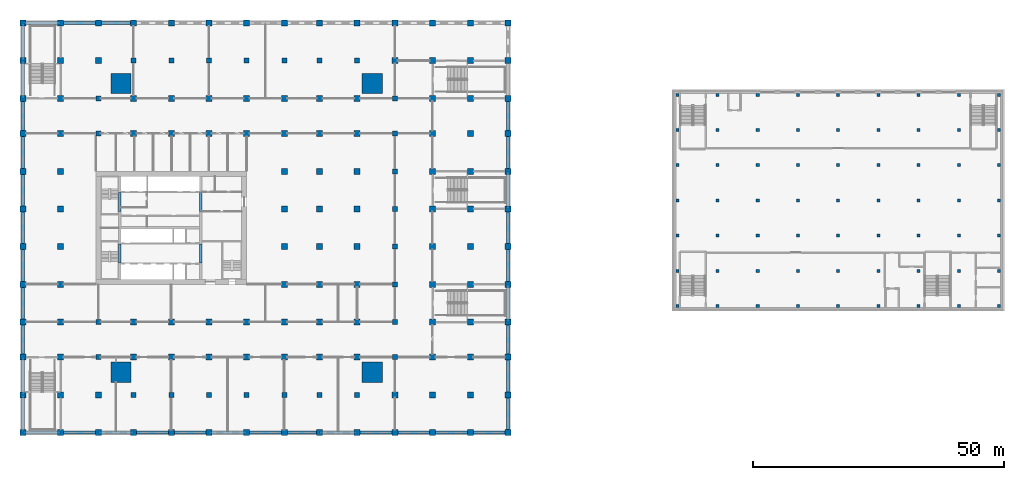
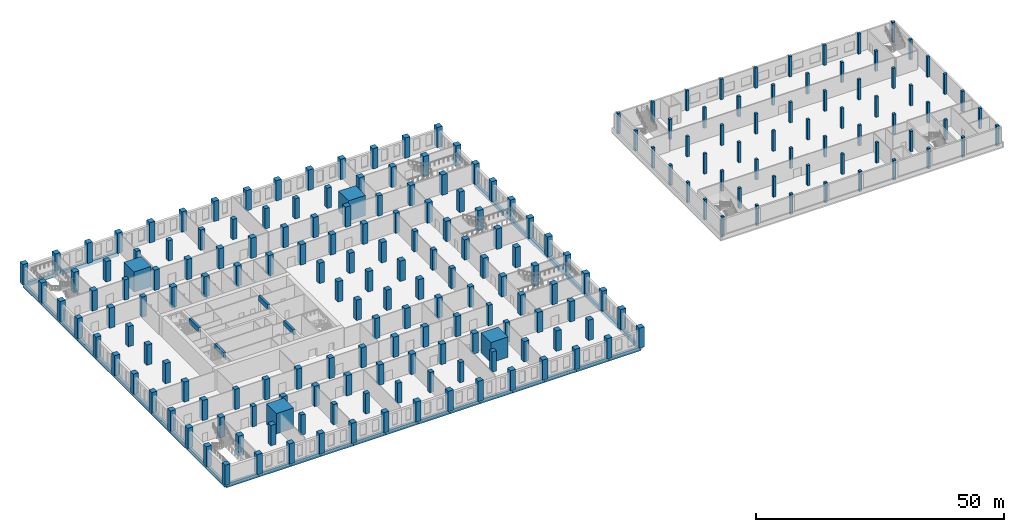
# One storey, part 1 of 32: 215 columns, 40 beams.
"""IFC4 building model written with IfcOpenShell, lengths in metres."""

from ifc_helpers import new_model, si_unit, direction, frame, origin, origin_2d, place, context, subcontext, project, spatial, rectangle, extrude, material, material_profile, profile_set, type_object, element, save


model = new_model("IFC4")

# Units and contexts
model_context = context("Model", 3, precision=1e-05, world=origin(), true_north=direction((0.0, 1.0)))
body_context = subcontext(model_context, "Body", "Model", "MODEL_VIEW")
ifc_project = project(units=[si_unit("LENGTHUNIT", "METRE"), si_unit("AREAUNIT", "SQUARE_METRE"), si_unit("VOLUMEUNIT", "CUBIC_METRE"), si_unit("PLANEANGLEUNIT", "RADIAN"), si_unit("MASSUNIT", "GRAM", prefix="KILO")], contexts=[model_context])

# Site, building, storey
site_placement = place(None, origin())
site = spatial("IfcSite", under=ifc_project, at=site_placement, CompositionType="ELEMENT")
building_placement = place(site_placement, origin())
building = spatial("IfcBuilding", under=site, at=building_placement, Name="Tamorin Gate", CompositionType="ELEMENT")
storey_placement = place(building_placement, frame((0.0, 0.0, 13.5)))
storey = spatial("IfcBuildingStorey", under=building, at=storey_placement, Name="L02", CompositionType="ELEMENT", Elevation=13.5)

# Columns
ifc_material_1 = material(Name="Concrete C80/95", Category="concrete")
ifc_material_profile_1 = material_profile(ifc_material_1, rectangle(XDim=1.0, YDim=1.0, at=origin_2d()), Name="RC 1000x1000")
ifc_profile_set_1 = profile_set([ifc_material_profile_1], Name="Concrete C80/95")
column_type_1 = type_object("IfcColumnType", Name="RC column 1000x1000 C80/95", PredefinedType="COLUMN", material=ifc_profile_set_1)
for number, where, z_axis, x_axis, name in (
    (1, (30.5, 45.5, 0.0), (0.0, 0.0, 1.0), (1.0, 0.0, 0.0), "Ring column L02"),
    (2, (30.5, 52.5, 0.0), (0.0, 0.0, 1.0), (1.0, 0.0, 0.0), "Ring column L02"),
    (3, (30.5, 90.0, 0.0), (0.0, 0.0, 1.0), (1.0, 0.0, 0.0), "Ring column L02"),
    (4, (30.5, 97.0, 0.0), (0.0, 0.0, 1.0), (1.0, 0.0, 0.0), "Ring column L02"),
    (5, (37.5, 38.0, 0.0), (0.0, 0.0, 1.0), (1.0, 0.0, 0.0), "Ring column L02"),
    (6, (37.5, 104.5, 0.0), (0.0, 0.0, 1.0), (1.0, 0.0, 0.0), "Ring column L02"),
    (7, (45.0, 38.0, 0.0), (0.0, 0.0, 1.0), (1.0, 0.0, 0.0), "Ring column L02"),
    (8, (45.0, 104.5, 0.0), (0.0, 0.0, 1.0), (1.0, 0.0, 0.0), "Ring column L02"),
    (9, (52.5, 38.0, 0.0), (0.0, 0.0, 1.0), (1.0, 0.0, 0.0), "Ring column L02"),
    (10, (52.5, 104.5, 0.0), (0.0, 0.0, 1.0), (1.0, 0.0, 0.0), "Ring column L02"),
    (11, (60.0, 38.0, 0.0), (0.0, 0.0, 1.0), (1.0, 0.0, 0.0), "Ring column L02"),
    (12, (60.0, 104.5, 0.0), (0.0, 0.0, 1.0), (1.0, 0.0, 0.0), "Ring column L02"),
    (13, (67.5, 38.0, 0.0), (0.0, 0.0, 1.0), (1.0, 0.0, 0.0), "Ring column L02"),
    (14, (67.5, 104.5, 0.0), (0.0, 0.0, 1.0), (1.0, 0.0, 0.0), "Ring column L02"),
    (15, (74.5, 38.0, 0.0), (0.0, 0.0, 1.0), (1.0, 0.0, 0.0), "Ring column L02"),
    (16, (74.5, 104.5, 0.0), (0.0, 0.0, 1.0), (1.0, 0.0, 0.0), "Ring column L02"),
    (17, (82.0, 38.0, 0.0), (0.0, 0.0, 1.0), (1.0, 0.0, 0.0), "Ring column L02"),
    (18, (82.0, 104.5, 0.0), (0.0, 0.0, 1.0), (1.0, 0.0, 0.0), "Ring column L02"),
    (19, (89.5, 45.5, 0.0), (0.0, 0.0, 1.0), (1.0, 0.0, 0.0), "Ring column L02"),
    (20, (89.5, 52.5, 0.0), (0.0, 0.0, 1.0), (1.0, 0.0, 0.0), "Ring column L02"),
    (21, (89.5, 60.0, 0.0), (0.0, 0.0, 1.0), (1.0, 0.0, 0.0), "Ring column L02"),
    (22, (89.5, 67.5, 0.0), (0.0, 0.0, 1.0), (1.0, 0.0, 0.0), "Ring column L02"),
    (23, (89.5, 75.0, 0.0), (0.0, 0.0, 1.0), (1.0, 0.0, 0.0), "Ring column L02"),
    (24, (89.5, 82.5, 0.0), (0.0, 0.0, 1.0), (1.0, 0.0, 0.0), "Ring column L02"),
    (25, (89.5, 90.0, 0.0), (0.0, 0.0, 1.0), (1.0, 0.0, 0.0), "Ring column L02"),
    (26, (89.5, 97.0, 0.0), (0.0, 0.0, 1.0), (1.0, 0.0, 0.0), "Ring column L02"),
):
    element("IfcColumn", number, at=place(storey_placement, frame(where, z_axis=z_axis, x_axis=x_axis)), inside=storey, type_object=column_type_1, Name=name, PredefinedType="COLUMN", context=body_context, shape_type="SweptSolid", body=[
        extrude(rectangle(XDim=1.0, YDim=1.0, at=origin_2d()), origin(), (0.0, 0.0, 1.0), 5.0),
    ])
ifc_material_profile_2 = material_profile(ifc_material_1, rectangle(XDim=1.199951171875, YDim=1.199951171875, at=origin_2d()), Name="RC 1200x1200")
ifc_profile_set_2 = profile_set([ifc_material_profile_2], Name="Concrete C80/95")
column_type_2 = type_object("IfcColumnType", Name="RC column 1200x1200 C80/95", PredefinedType="COLUMN", material=ifc_profile_set_2)
for number, where, z_axis, x_axis, name in (
    (27, (37.5, 45.5, 0.0), (0.0, 0.0, 1.0), (1.0, 0.0, 0.0), "Interior column L02"),
    (28, (37.5, 52.5, 0.0), (0.0, 0.0, 1.0), (1.0, 0.0, 0.0), "Interior column L02"),
    (29, (37.5, 90.0, 0.0), (0.0, 0.0, 1.0), (1.0, 0.0, 0.0), "Interior column L02"),
    (30, (37.5, 97.0, 0.0), (0.0, 0.0, 1.0), (1.0, 0.0, 0.0), "Interior column L02"),
    (31, (45.0, 45.5, 0.0), (0.0, 0.0, 1.0), (1.0, 0.0, 0.0), "Interior column L02"),
    (32, (45.0, 52.5, 0.0), (0.0, 0.0, 1.0), (1.0, 0.0, 0.0), "Interior column L02"),
    (33, (45.0, 90.0, 0.0), (0.0, 0.0, 1.0), (1.0, 0.0, 0.0), "Interior column L02"),
    (34, (45.0, 97.0, 0.0), (0.0, 0.0, 1.0), (1.0, 0.0, 0.0), "Interior column L02"),
    (35, (52.5, 45.5, 0.0), (0.0, 0.0, 1.0), (1.0, 0.0, 0.0), "Interior column L02"),
    (36, (52.5, 52.5, 0.0), (0.0, 0.0, 1.0), (1.0, 0.0, 0.0), "Interior column L02"),
    (37, (52.5, 90.0, 0.0), (0.0, 0.0, 1.0), (1.0, 0.0, 0.0), "Interior column L02"),
    (38, (52.5, 97.0, 0.0), (0.0, 0.0, 1.0), (1.0, 0.0, 0.0), "Interior column L02"),
    (39, (60.0, 45.5, 0.0), (0.0, 0.0, 1.0), (1.0, 0.0, 0.0), "Interior column L02"),
    (40, (60.0, 52.5, 0.0), (0.0, 0.0, 1.0), (1.0, 0.0, 0.0), "Interior column L02"),
    (41, (60.0, 90.0, 0.0), (0.0, 0.0, 1.0), (1.0, 0.0, 0.0), "Interior column L02"),
    (42, (60.0, 97.0, 0.0), (0.0, 0.0, 1.0), (1.0, 0.0, 0.0), "Interior column L02"),
    (43, (67.5, 45.5, 0.0), (0.0, 0.0, 1.0), (1.0, 0.0, 0.0), "Interior column L02"),
    (44, (67.5, 52.5, 0.0), (0.0, 0.0, 1.0), (1.0, 0.0, 0.0), "Interior column L02"),
    (45, (67.5, 60.0, 0.0), (0.0, 0.0, 1.0), (1.0, 0.0, 0.0), "Interior column L02"),
    (46, (67.5, 67.5, 0.0), (0.0, 0.0, 1.0), (1.0, 0.0, 0.0), "Interior column L02"),
    (47, (67.5, 75.0, 0.0), (0.0, 0.0, 1.0), (1.0, 0.0, 0.0), "Interior column L02"),
    (48, (67.5, 82.5, 0.0), (0.0, 0.0, 1.0), (1.0, 0.0, 0.0), "Interior column L02"),
    (49, (67.5, 90.0, 0.0), (0.0, 0.0, 1.0), (1.0, 0.0, 0.0), "Interior column L02"),
    (50, (67.5, 97.0, 0.0), (0.0, 0.0, 1.0), (1.0, 0.0, 0.0), "Interior column L02"),
    (51, (74.5, 45.5, 0.0), (0.0, 0.0, 1.0), (1.0, 0.0, 0.0), "Interior column L02"),
    (52, (74.5, 52.5, 0.0), (0.0, 0.0, 1.0), (1.0, 0.0, 0.0), "Interior column L02"),
    (53, (74.5, 60.0, 0.0), (0.0, 0.0, 1.0), (1.0, 0.0, 0.0), "Interior column L02"),
    (54, (74.5, 67.5, 0.0), (0.0, 0.0, 1.0), (1.0, 0.0, 0.0), "Interior column L02"),
    (55, (74.5, 75.0, 0.0), (0.0, 0.0, 1.0), (1.0, 0.0, 0.0), "Interior column L02"),
    (56, (74.5, 82.5, 0.0), (0.0, 0.0, 1.0), (1.0, 0.0, 0.0), "Interior column L02"),
    (57, (74.5, 90.0, 0.0), (0.0, 0.0, 1.0), (1.0, 0.0, 0.0), "Interior column L02"),
    (58, (74.5, 97.0, 0.0), (0.0, 0.0, 1.0), (1.0, 0.0, 0.0), "Interior column L02"),
    (59, (82.0, 45.5, 0.0), (0.0, 0.0, 1.0), (1.0, 0.0, 0.0), "Interior column L02"),
    (60, (82.0, 52.5, 0.0), (0.0, 0.0, 1.0), (1.0, 0.0, 0.0), "Interior column L02"),
    (61, (82.0, 60.0, 0.0), (0.0, 0.0, 1.0), (1.0, 0.0, 0.0), "Interior column L02"),
    (62, (82.0, 67.5, 0.0), (0.0, 0.0, 1.0), (1.0, 0.0, 0.0), "Interior column L02"),
    (63, (82.0, 75.0, 0.0), (0.0, 0.0, 1.0), (1.0, 0.0, 0.0), "Interior column L02"),
    (64, (82.0, 82.5, 0.0), (0.0, 0.0, 1.0), (1.0, 0.0, 0.0), "Interior column L02"),
    (65, (82.0, 90.0, 0.0), (0.0, 0.0, 1.0), (1.0, 0.0, 0.0), "Interior column L02"),
    (66, (82.0, 97.0, 0.0), (0.0, 0.0, 1.0), (1.0, 0.0, 0.0), "Interior column L02"),
    (67, (15.5, 30.5, 0.0), (0.0, 0.0, 1.0), (1.0, 0.0, 0.0), "Podium column L02"),
    (68, (15.5, 38.0, 0.0), (0.0, 0.0, 1.0), (1.0, 0.0, 0.0), "Podium column L02"),
    (69, (15.5, 45.5, 0.0), (0.0, 0.0, 1.0), (1.0, 0.0, 0.0), "Podium column L02"),
    (70, (15.5, 52.5, 0.0), (0.0, 0.0, 1.0), (1.0, 0.0, 0.0), "Podium column L02"),
    (71, (15.5, 60.0, 0.0), (0.0, 0.0, 1.0), (1.0, 0.0, 0.0), "Podium column L02"),
    (72, (15.5, 67.5, 0.0), (0.0, 0.0, 1.0), (1.0, 0.0, 0.0), "Podium column L02"),
    (73, (15.5, 75.0, 0.0), (0.0, 0.0, 1.0), (1.0, 0.0, 0.0), "Podium column L02"),
    (74, (15.5, 82.5, 0.0), (0.0, 0.0, 1.0), (1.0, 0.0, 0.0), "Podium column L02"),
    (75, (15.5, 90.0, 0.0), (0.0, 0.0, 1.0), (1.0, 0.0, 0.0), "Podium column L02"),
    (76, (15.5, 97.0, 0.0), (0.0, 0.0, 1.0), (1.0, 0.0, 0.0), "Podium column L02"),
    (77, (15.5, 104.5, 0.0), (0.0, 0.0, 1.0), (1.0, 0.0, 0.0), "Podium column L02"),
    (78, (15.5, 112.0, 0.0), (0.0, 0.0, 1.0), (1.0, 0.0, 0.0), "Podium column L02"),
    (79, (23.0, 30.5, 0.0), (0.0, 0.0, 1.0), (1.0, 0.0, 0.0), "Podium column L02"),
    (80, (23.0, 38.0, 0.0), (0.0, 0.0, 1.0), (1.0, 0.0, 0.0), "Podium column L02"),
    (81, (23.0, 45.5, 0.0), (0.0, 0.0, 1.0), (1.0, 0.0, 0.0), "Podium column L02"),
    (82, (23.0, 52.5, 0.0), (0.0, 0.0, 1.0), (1.0, 0.0, 0.0), "Podium column L02"),
    (83, (23.0, 60.0, 0.0), (0.0, 0.0, 1.0), (1.0, 0.0, 0.0), "Podium column L02"),
    (84, (23.0, 67.5, 0.0), (0.0, 0.0, 1.0), (1.0, 0.0, 0.0), "Podium column L02"),
    (85, (23.0, 75.0, 0.0), (0.0, 0.0, 1.0), (1.0, 0.0, 0.0), "Podium column L02"),
    (86, (23.0, 82.5, 0.0), (0.0, 0.0, 1.0), (1.0, 0.0, 0.0), "Podium column L02"),
    (87, (23.0, 90.0, 0.0), (0.0, 0.0, 1.0), (1.0, 0.0, 0.0), "Podium column L02"),
    (88, (23.0, 97.0, 0.0), (0.0, 0.0, 1.0), (1.0, 0.0, 0.0), "Podium column L02"),
    (89, (23.0, 104.5, 0.0), (0.0, 0.0, 1.0), (1.0, 0.0, 0.0), "Podium column L02"),
    (90, (23.0, 112.0, 0.0), (0.0, 0.0, 1.0), (1.0, 0.0, 0.0), "Podium column L02"),
    (91, (30.5, 30.5, 0.0), (0.0, 0.0, 1.0), (1.0, 0.0, 0.0), "Podium column L02"),
    (92, (30.5, 38.0, 0.0), (0.0, 0.0, 1.0), (1.0, 0.0, 0.0), "Podium column L02"),
    (93, (30.5, 104.5, 0.0), (0.0, 0.0, 1.0), (1.0, 0.0, 0.0), "Podium column L02"),
    (94, (30.5, 112.0, 0.0), (0.0, 0.0, 1.0), (1.0, 0.0, 0.0), "Podium column L02"),
    (95, (37.5, 30.5, 0.0), (0.0, 0.0, 1.0), (1.0, 0.0, 0.0), "Podium column L02"),
    (96, (37.5, 112.0, 0.0), (0.0, 0.0, 1.0), (1.0, 0.0, 0.0), "Podium column L02"),
    (97, (45.0, 30.5, 0.0), (0.0, 0.0, 1.0), (1.0, 0.0, 0.0), "Podium column L02"),
    (98, (45.0, 112.0, 0.0), (0.0, 0.0, 1.0), (1.0, 0.0, 0.0), "Podium column L02"),
    (99, (52.5, 30.5, 0.0), (0.0, 0.0, 1.0), (1.0, 0.0, 0.0), "Podium column L02"),
    (100, (52.5, 112.0, 0.0), (0.0, 0.0, 1.0), (1.0, 0.0, 0.0), "Podium column L02"),
    (101, (60.0, 30.5, 0.0), (0.0, 0.0, 1.0), (1.0, 0.0, 0.0), "Podium column L02"),
    (102, (60.0, 112.0, 0.0), (0.0, 0.0, 1.0), (1.0, 0.0, 0.0), "Podium column L02"),
    (103, (67.5, 30.5, 0.0), (0.0, 0.0, 1.0), (1.0, 0.0, 0.0), "Podium column L02"),
    (104, (67.5, 112.0, 0.0), (0.0, 0.0, 1.0), (1.0, 0.0, 0.0), "Podium column L02"),
    (105, (74.5, 30.5, 0.0), (0.0, 0.0, 1.0), (1.0, 0.0, 0.0), "Podium column L02"),
    (106, (74.5, 112.0, 0.0), (0.0, 0.0, 1.0), (1.0, 0.0, 0.0), "Podium column L02"),
    (107, (82.0, 30.5, 0.0), (0.0, 0.0, 1.0), (1.0, 0.0, 0.0), "Podium column L02"),
    (108, (82.0, 112.0, 0.0), (0.0, 0.0, 1.0), (1.0, 0.0, 0.0), "Podium column L02"),
    (109, (89.5, 30.5, 0.0), (0.0, 0.0, 1.0), (1.0, 0.0, 0.0), "Podium column L02"),
    (110, (89.5, 38.0, 0.0), (0.0, 0.0, 1.0), (1.0, 0.0, 0.0), "Podium column L02"),
    (111, (89.5, 104.5, 0.0), (0.0, 0.0, 1.0), (1.0, 0.0, 0.0), "Podium column L02"),
    (112, (89.5, 112.0, 0.0), (0.0, 0.0, 1.0), (1.0, 0.0, 0.0), "Podium column L02"),
    (113, (97.0, 30.5, 0.0), (0.0, 0.0, 1.0), (1.0, 0.0, 0.0), "Podium column L02"),
    (114, (97.0, 38.0, 0.0), (0.0, 0.0, 1.0), (1.0, 0.0, 0.0), "Podium column L02"),
    (115, (97.0, 45.5, 0.0), (0.0, 0.0, 1.0), (1.0, 0.0, 0.0), "Podium column L02"),
    (116, (97.0, 52.5, 0.0), (0.0, 0.0, 1.0), (1.0, 0.0, 0.0), "Podium column L02"),
    (117, (97.0, 60.0, 0.0), (0.0, 0.0, 1.0), (1.0, 0.0, 0.0), "Podium column L02"),
    (118, (97.0, 67.5, 0.0), (0.0, 0.0, 1.0), (1.0, 0.0, 0.0), "Podium column L02"),
    (119, (97.0, 75.0, 0.0), (0.0, 0.0, 1.0), (1.0, 0.0, 0.0), "Podium column L02"),
    (120, (97.0, 82.5, 0.0), (0.0, 0.0, 1.0), (1.0, 0.0, 0.0), "Podium column L02"),
    (121, (97.0, 90.0, 0.0), (0.0, 0.0, 1.0), (1.0, 0.0, 0.0), "Podium column L02"),
    (122, (97.0, 97.0, 0.0), (0.0, 0.0, 1.0), (1.0, 0.0, 0.0), "Podium column L02"),
    (123, (97.0, 104.5, 0.0), (0.0, 0.0, 1.0), (1.0, 0.0, 0.0), "Podium column L02"),
    (124, (97.0, 112.0, 0.0), (0.0, 0.0, 1.0), (1.0, 0.0, 0.0), "Podium column L02"),
    (125, (104.5, 30.5, 0.0), (0.0, 0.0, 1.0), (1.0, 0.0, 0.0), "Podium column L02"),
    (126, (104.5, 38.0, 0.0), (0.0, 0.0, 1.0), (1.0, 0.0, 0.0), "Podium column L02"),
    (127, (104.5, 45.5, 0.0), (0.0, 0.0, 1.0), (1.0, 0.0, 0.0), "Podium column L02"),
    (128, (104.5, 52.5, 0.0), (0.0, 0.0, 1.0), (1.0, 0.0, 0.0), "Podium column L02"),
    (129, (104.5, 60.0, 0.0), (0.0, 0.0, 1.0), (1.0, 0.0, 0.0), "Podium column L02"),
    (130, (104.5, 67.5, 0.0), (0.0, 0.0, 1.0), (1.0, 0.0, 0.0), "Podium column L02"),
    (131, (104.5, 75.0, 0.0), (0.0, 0.0, 1.0), (1.0, 0.0, 0.0), "Podium column L02"),
    (132, (104.5, 82.5, 0.0), (0.0, 0.0, 1.0), (1.0, 0.0, 0.0), "Podium column L02"),
    (133, (104.5, 90.0, 0.0), (0.0, 0.0, 1.0), (1.0, 0.0, 0.0), "Podium column L02"),
    (134, (104.5, 97.0, 0.0), (0.0, 0.0, 1.0), (1.0, 0.0, 0.0), "Podium column L02"),
    (135, (104.5, 104.5, 0.0), (0.0, 0.0, 1.0), (1.0, 0.0, 0.0), "Podium column L02"),
    (136, (104.5, 112.0, 0.0), (0.0, 0.0, 1.0), (1.0, 0.0, 0.0), "Podium column L02"),
    (137, (112.0, 30.5, 0.0), (0.0, 0.0, 1.0), (1.0, 0.0, 0.0), "Podium column L02"),
    (138, (112.0, 38.0, 0.0), (0.0, 0.0, 1.0), (1.0, 0.0, 0.0), "Podium column L02"),
    (139, (112.0, 45.5, 0.0), (0.0, 0.0, 1.0), (1.0, 0.0, 0.0), "Podium column L02"),
    (140, (112.0, 52.5, 0.0), (0.0, 0.0, 1.0), (1.0, 0.0, 0.0), "Podium column L02"),
    (141, (112.0, 60.0, 0.0), (0.0, 0.0, 1.0), (1.0, 0.0, 0.0), "Podium column L02"),
    (142, (112.0, 67.5, 0.0), (0.0, 0.0, 1.0), (1.0, 0.0, 0.0), "Podium column L02"),
    (143, (112.0, 75.0, 0.0), (0.0, 0.0, 1.0), (1.0, 0.0, 0.0), "Podium column L02"),
    (144, (112.0, 82.5, 0.0), (0.0, 0.0, 1.0), (1.0, 0.0, 0.0), "Podium column L02"),
    (145, (112.0, 90.0, 0.0), (0.0, 0.0, 1.0), (1.0, 0.0, 0.0), "Podium column L02"),
    (146, (112.0, 97.0, 0.0), (0.0, 0.0, 1.0), (1.0, 0.0, 0.0), "Podium column L02"),
    (147, (112.0, 104.5, 0.0), (0.0, 0.0, 1.0), (1.0, 0.0, 0.0), "Podium column L02"),
    (148, (112.0, 112.0, 0.0), (0.0, 0.0, 1.0), (1.0, 0.0, 0.0), "Podium column L02"),
):
    element("IfcColumn", number, at=place(storey_placement, frame(where, z_axis=z_axis, x_axis=x_axis)), inside=storey, type_object=column_type_2, Name=name, PredefinedType="COLUMN", context=body_context, shape_type="SweptSolid", body=[
        extrude(rectangle(XDim=1.199951171875, YDim=1.199951171875, at=origin_2d()), origin(), (0.0, 0.0, 1.0), 5.0),
    ])
ifc_material_profile_3 = material_profile(ifc_material_1, rectangle(XDim=4.0, YDim=4.0, at=origin_2d()), Name="RC 4000x4000")
ifc_profile_set_3 = profile_set([ifc_material_profile_3], Name="Concrete C80/95")
column_type_3 = type_object("IfcColumnType", Name="RC column 4000x4000 C80/95", PredefinedType="COLUMN", material=ifc_profile_set_3)
for number, where, z_axis, x_axis, name in (
    (149, (35.0, 42.5, 0.0), (0.0, 0.0, 1.0), (1.0, 0.0, 0.0), "Mega column SW L02"),
    (150, (85.0, 42.5, 0.0), (0.0, 0.0, 1.0), (1.0, 0.0, 0.0), "Mega column SE L02"),
    (151, (35.0, 100.0, 0.0), (0.0, 0.0, 1.0), (1.0, 0.0, 0.0), "Mega column NW L02"),
    (152, (85.0, 100.0, 0.0), (0.0, 0.0, 1.0), (1.0, 0.0, 0.0), "Mega column NE L02"),
):
    element("IfcColumn", number, at=place(storey_placement, frame(where, z_axis=z_axis, x_axis=x_axis)), inside=storey, type_object=column_type_3, Name=name, PredefinedType="COLUMN", context=body_context, shape_type="SweptSolid", body=[
        extrude(rectangle(XDim=4.0, YDim=4.0, at=origin_2d()), origin(), (0.0, 0.0, 1.0), 5.0),
    ])
ifc_material_2 = material(Name="Concrete C50/60", Category="concrete")
ifc_material_profile_4 = material_profile(ifc_material_2, rectangle(XDim=0.60009765625, YDim=0.60009765625, at=origin_2d()))
ifc_profile_set_4 = profile_set([ifc_material_profile_4], Name="Concrete C50/60")
column_type_4 = type_object("IfcColumnType", Name="RC column 600x600 C50/60", PredefinedType="COLUMN", material=ifc_profile_set_4)
for number, where, z_axis, x_axis, name in (
    (153, (145.699951171875, 55.699951171875, 0.0), (0.0, 0.0, 1.0), (1.0, 0.0, 0.0), "Museum column L02"),
    (154, (145.699951171875, 62.699951171875, 0.0), (0.0, 0.0, 1.0), (1.0, 0.0, 0.0), "Museum column L02"),
    (155, (145.699951171875, 69.699951171875, 0.0), (0.0, 0.0, 1.0), (1.0, 0.0, 0.0), "Museum column L02"),
    (156, (145.699951171875, 76.699951171875, 0.0), (0.0, 0.0, 1.0), (1.0, 0.0, 0.0), "Museum column L02"),
    (157, (145.699951171875, 83.699951171875, 0.0), (0.0, 0.0, 1.0), (1.0, 0.0, 0.0), "Museum column L02"),
    (158, (145.699951171875, 90.699951171875, 0.0), (0.0, 0.0, 1.0), (1.0, 0.0, 0.0), "Museum column L02"),
    (159, (145.699951171875, 97.699951171875, 0.0), (0.0, 0.0, 1.0), (1.0, 0.0, 0.0), "Museum column L02"),
    (160, (153.699951171875, 55.699951171875, 0.0), (0.0, 0.0, 1.0), (1.0, 0.0, 0.0), "Museum column L02"),
    (161, (153.699951171875, 62.699951171875, 0.0), (0.0, 0.0, 1.0), (1.0, 0.0, 0.0), "Museum column L02"),
    (162, (153.699951171875, 69.699951171875, 0.0), (0.0, 0.0, 1.0), (1.0, 0.0, 0.0), "Museum column L02"),
    (163, (153.699951171875, 76.699951171875, 0.0), (0.0, 0.0, 1.0), (1.0, 0.0, 0.0), "Museum column L02"),
    (164, (153.699951171875, 83.699951171875, 0.0), (0.0, 0.0, 1.0), (1.0, 0.0, 0.0), "Museum column L02"),
    (165, (153.699951171875, 90.699951171875, 0.0), (0.0, 0.0, 1.0), (1.0, 0.0, 0.0), "Museum column L02"),
    (166, (153.699951171875, 97.699951171875, 0.0), (0.0, 0.0, 1.0), (1.0, 0.0, 0.0), "Museum column L02"),
    (167, (161.699951171875, 55.699951171875, 0.0), (0.0, 0.0, 1.0), (1.0, 0.0, 0.0), "Museum column L02"),
    (168, (161.699951171875, 62.699951171875, 0.0), (0.0, 0.0, 1.0), (1.0, 0.0, 0.0), "Museum column L02"),
    (169, (161.699951171875, 69.699951171875, 0.0), (0.0, 0.0, 1.0), (1.0, 0.0, 0.0), "Museum column L02"),
    (170, (161.699951171875, 76.699951171875, 0.0), (0.0, 0.0, 1.0), (1.0, 0.0, 0.0), "Museum column L02"),
    (171, (161.699951171875, 83.699951171875, 0.0), (0.0, 0.0, 1.0), (1.0, 0.0, 0.0), "Museum column L02"),
    (172, (161.699951171875, 90.699951171875, 0.0), (0.0, 0.0, 1.0), (1.0, 0.0, 0.0), "Museum column L02"),
    (173, (161.699951171875, 97.699951171875, 0.0), (0.0, 0.0, 1.0), (1.0, 0.0, 0.0), "Museum column L02"),
    (174, (169.699951171875, 55.699951171875, 0.0), (0.0, 0.0, 1.0), (1.0, 0.0, 0.0), "Museum column L02"),
    (175, (169.699951171875, 62.699951171875, 0.0), (0.0, 0.0, 1.0), (1.0, 0.0, 0.0), "Museum column L02"),
    (176, (169.699951171875, 69.699951171875, 0.0), (0.0, 0.0, 1.0), (1.0, 0.0, 0.0), "Museum column L02"),
    (177, (169.699951171875, 76.699951171875, 0.0), (0.0, 0.0, 1.0), (1.0, 0.0, 0.0), "Museum column L02"),
    (178, (169.699951171875, 83.699951171875, 0.0), (0.0, 0.0, 1.0), (1.0, 0.0, 0.0), "Museum column L02"),
    (179, (169.699951171875, 90.699951171875, 0.0), (0.0, 0.0, 1.0), (1.0, 0.0, 0.0), "Museum column L02"),
    (180, (169.699951171875, 97.699951171875, 0.0), (0.0, 0.0, 1.0), (1.0, 0.0, 0.0), "Museum column L02"),
    (181, (177.699951171875, 55.699951171875, 0.0), (0.0, 0.0, 1.0), (1.0, 0.0, 0.0), "Museum column L02"),
    (182, (177.699951171875, 62.699951171875, 0.0), (0.0, 0.0, 1.0), (1.0, 0.0, 0.0), "Museum column L02"),
    (183, (177.699951171875, 69.699951171875, 0.0), (0.0, 0.0, 1.0), (1.0, 0.0, 0.0), "Museum column L02"),
    (184, (177.699951171875, 76.699951171875, 0.0), (0.0, 0.0, 1.0), (1.0, 0.0, 0.0), "Museum column L02"),
    (185, (177.699951171875, 83.699951171875, 0.0), (0.0, 0.0, 1.0), (1.0, 0.0, 0.0), "Museum column L02"),
    (186, (177.699951171875, 90.699951171875, 0.0), (0.0, 0.0, 1.0), (1.0, 0.0, 0.0), "Museum column L02"),
    (187, (177.699951171875, 97.699951171875, 0.0), (0.0, 0.0, 1.0), (1.0, 0.0, 0.0), "Museum column L02"),
    (188, (185.699951171875, 55.699951171875, 0.0), (0.0, 0.0, 1.0), (1.0, 0.0, 0.0), "Museum column L02"),
    (189, (185.699951171875, 62.699951171875, 0.0), (0.0, 0.0, 1.0), (1.0, 0.0, 0.0), "Museum column L02"),
    (190, (185.699951171875, 69.699951171875, 0.0), (0.0, 0.0, 1.0), (1.0, 0.0, 0.0), "Museum column L02"),
    (191, (185.699951171875, 76.699951171875, 0.0), (0.0, 0.0, 1.0), (1.0, 0.0, 0.0), "Museum column L02"),
    (192, (185.699951171875, 83.699951171875, 0.0), (0.0, 0.0, 1.0), (1.0, 0.0, 0.0), "Museum column L02"),
    (193, (185.699951171875, 90.699951171875, 0.0), (0.0, 0.0, 1.0), (1.0, 0.0, 0.0), "Museum column L02"),
    (194, (185.699951171875, 97.699951171875, 0.0), (0.0, 0.0, 1.0), (1.0, 0.0, 0.0), "Museum column L02"),
    (195, (193.699951171875, 55.699951171875, 0.0), (0.0, 0.0, 1.0), (1.0, 0.0, 0.0), "Museum column L02"),
    (196, (193.699951171875, 62.699951171875, 0.0), (0.0, 0.0, 1.0), (1.0, 0.0, 0.0), "Museum column L02"),
    (197, (193.699951171875, 69.699951171875, 0.0), (0.0, 0.0, 1.0), (1.0, 0.0, 0.0), "Museum column L02"),
    (198, (193.699951171875, 76.699951171875, 0.0), (0.0, 0.0, 1.0), (1.0, 0.0, 0.0), "Museum column L02"),
    (199, (193.699951171875, 83.699951171875, 0.0), (0.0, 0.0, 1.0), (1.0, 0.0, 0.0), "Museum column L02"),
    (200, (193.699951171875, 90.699951171875, 0.0), (0.0, 0.0, 1.0), (1.0, 0.0, 0.0), "Museum column L02"),
    (201, (193.699951171875, 97.699951171875, 0.0), (0.0, 0.0, 1.0), (1.0, 0.0, 0.0), "Museum column L02"),
    (202, (201.699951171875, 55.699951171875, 0.0), (0.0, 0.0, 1.0), (1.0, 0.0, 0.0), "Museum column L02"),
    (203, (201.699951171875, 62.699951171875, 0.0), (0.0, 0.0, 1.0), (1.0, 0.0, 0.0), "Museum column L02"),
    (204, (201.699951171875, 69.699951171875, 0.0), (0.0, 0.0, 1.0), (1.0, 0.0, 0.0), "Museum column L02"),
    (205, (201.699951171875, 76.699951171875, 0.0), (0.0, 0.0, 1.0), (1.0, 0.0, 0.0), "Museum column L02"),
    (206, (201.699951171875, 83.699951171875, 0.0), (0.0, 0.0, 1.0), (1.0, 0.0, 0.0), "Museum column L02"),
    (207, (201.699951171875, 90.699951171875, 0.0), (0.0, 0.0, 1.0), (1.0, 0.0, 0.0), "Museum column L02"),
    (208, (201.699951171875, 97.699951171875, 0.0), (0.0, 0.0, 1.0), (1.0, 0.0, 0.0), "Museum column L02"),
    (209, (209.699951171875, 55.699951171875, 0.0), (0.0, 0.0, 1.0), (1.0, 0.0, 0.0), "Museum column L02"),
    (210, (209.699951171875, 62.699951171875, 0.0), (0.0, 0.0, 1.0), (1.0, 0.0, 0.0), "Museum column L02"),
    (211, (209.699951171875, 69.699951171875, 0.0), (0.0, 0.0, 1.0), (1.0, 0.0, 0.0), "Museum column L02"),
    (212, (209.699951171875, 76.699951171875, 0.0), (0.0, 0.0, 1.0), (1.0, 0.0, 0.0), "Museum column L02"),
    (213, (209.699951171875, 83.699951171875, 0.0), (0.0, 0.0, 1.0), (1.0, 0.0, 0.0), "Museum column L02"),
    (214, (209.699951171875, 90.699951171875, 0.0), (0.0, 0.0, 1.0), (1.0, 0.0, 0.0), "Museum column L02"),
    (215, (209.699951171875, 97.699951171875, 0.0), (0.0, 0.0, 1.0), (1.0, 0.0, 0.0), "Museum column L02"),
):
    element("IfcColumn", number, at=place(storey_placement, frame(where, z_axis=z_axis, x_axis=x_axis)), inside=storey, type_object=column_type_4, Name=name, PredefinedType="COLUMN", context=body_context, shape_type="SweptSolid", body=[
        extrude(rectangle(XDim=0.60009765625, YDim=0.60009765625, at=origin_2d()), origin(), (0.0, 0.0, 1.0), 5.0),
    ])

# Beams
ifc_material_profile_5 = material_profile(ifc_material_1, rectangle(XDim=0.5, YDim=1.199951171875, at=origin_2d()), Name="RC 500x1200")
ifc_profile_set_5 = profile_set([ifc_material_profile_5], Name="Concrete C80/95")
beam_type_1 = type_object("IfcBeamType", Name="RC coupling beam 500x1200 C80/95", PredefinedType="BEAM", material=ifc_profile_set_5)
for number, where, z_axis, x_axis, name in (
    (216, (34.75, 64.199951171875, 4.39990234375), (0.0, 1.0, 0.0), (-1.0, 0.0, 0.0), "Coupling beam L02"),
    (217, (34.75, 74.449951171875, 4.39990234375), (0.0, 1.0, 0.0), (-1.0, 0.0, 0.0), "Coupling beam L02"),
    (218, (50.85009765625, 64.199951171875, 4.39990234375), (0.0, 1.0, 0.0), (-1.0, 0.0, 0.0), "Coupling beam L02"),
    (219, (50.85009765625, 74.449951171875, 4.39990234375), (0.0, 1.0, 0.0), (-1.0, 0.0, 0.0), "Coupling beam L02"),
):
    element("IfcBeam", number, at=place(storey_placement, frame(where, z_axis=z_axis, x_axis=x_axis)), inside=storey, type_object=beam_type_1, Name=name, PredefinedType="BEAM", context=body_context, shape_type="SweptSolid", body=[
        extrude(rectangle(XDim=0.5, YDim=1.199951171875, at=origin_2d()), origin(), (0.0, 0.0, 1.0), 3.85009765625),
    ])
ifc_material_profile_6 = material_profile(ifc_material_2, rectangle(XDim=0.60009765625, YDim=0.89990234375, at=origin_2d()), Name="RC 600x900")
ifc_profile_set_6 = profile_set([ifc_material_profile_6], Name="Concrete C50/60")
beam_type_2 = type_object("IfcBeamType", Name="RC spandrel 600x900 C50/60", PredefinedType="BEAM", material=ifc_profile_set_6)
for number, where, z_axis, x_axis, name in (
    (220, (15.5, 30.5, -0.449951171875), (1.0, 0.0, 0.0), (0.0, 1.0, 0.0), "Spandrel beam L02"),
    (221, (23.0, 30.5, -0.449951171875), (1.0, 0.0, 0.0), (0.0, 1.0, 0.0), "Spandrel beam L02"),
):
    element("IfcBeam", number, at=place(storey_placement, frame(where, z_axis=z_axis, x_axis=x_axis)), inside=storey, type_object=beam_type_2, Name=name, PredefinedType="BEAM", context=body_context, shape_type="SweptSolid", body=[
        extrude(rectangle(XDim=0.60009765625, YDim=0.89990234375, at=origin_2d()), origin(), (0.0, 0.0, 1.0), 7.5),
    ])
beam_1_placement = place(storey_placement, frame((30.5, 30.5, -0.449951171875), z_axis=(1.0, 0.0, 0.0), x_axis=(0.0, 1.0, 0.0)))
element("IfcBeam", 222, at=beam_1_placement, inside=storey, type_object=beam_type_2, Name="Spandrel beam L02", PredefinedType="BEAM", context=body_context, shape_type="SweptSolid", body=[
    extrude(rectangle(XDim=0.60009765625, YDim=0.89990234375, at=origin_2d()), origin(), (0.0, 0.0, 1.0), 7.0),
])
for number, where, z_axis, x_axis, name in (
    (223, (37.5, 30.5, -0.449951171875), (1.0, 0.0, 0.0), (0.0, 1.0, 0.0), "Spandrel beam L02"),
    (224, (45.0, 30.5, -0.449951171875), (1.0, 0.0, 0.0), (0.0, 1.0, 0.0), "Spandrel beam L02"),
    (225, (52.5, 30.5, -0.449951171875), (1.0, 0.0, 0.0), (0.0, 1.0, 0.0), "Spandrel beam L02"),
    (226, (60.0, 30.5, -0.449951171875), (1.0, 0.0, 0.0), (0.0, 1.0, 0.0), "Spandrel beam L02"),
):
    element("IfcBeam", number, at=place(storey_placement, frame(where, z_axis=z_axis, x_axis=x_axis)), inside=storey, type_object=beam_type_2, Name=name, PredefinedType="BEAM", context=body_context, shape_type="SweptSolid", body=[
        extrude(rectangle(XDim=0.60009765625, YDim=0.89990234375, at=origin_2d()), origin(), (0.0, 0.0, 1.0), 7.5),
    ])
beam_2_placement = place(storey_placement, frame((67.5, 30.5, -0.449951171875), z_axis=(1.0, 0.0, 0.0), x_axis=(0.0, 1.0, 0.0)))
element("IfcBeam", 227, at=beam_2_placement, inside=storey, type_object=beam_type_2, Name="Spandrel beam L02", PredefinedType="BEAM", context=body_context, shape_type="SweptSolid", body=[
    extrude(rectangle(XDim=0.60009765625, YDim=0.89990234375, at=origin_2d()), origin(), (0.0, 0.0, 1.0), 7.0),
])
for number, where, z_axis, x_axis, name in (
    (228, (74.5, 30.5, -0.449951171875), (1.0, 0.0, 0.0), (0.0, 1.0, 0.0), "Spandrel beam L02"),
    (229, (82.0, 30.5, -0.449951171875), (1.0, 0.0, 0.0), (0.0, 1.0, 0.0), "Spandrel beam L02"),
    (230, (89.5, 30.5, -0.449951171875), (1.0, 0.0, 0.0), (0.0, 1.0, 0.0), "Spandrel beam L02"),
    (231, (97.0, 30.5, -0.449951171875), (1.0, 0.0, 0.0), (0.0, 1.0, 0.0), "Spandrel beam L02"),
    (232, (104.5, 30.5, -0.449951171875), (1.0, 0.0, 0.0), (0.0, 1.0, 0.0), "Spandrel beam L02"),
    (233, (112.0, 30.5, -0.449951171875), (0.0, 1.0, 0.0), (-1.0, 0.0, 0.0), "Spandrel beam L02"),
    (234, (112.0, 38.0, -0.449951171875), (0.0, 1.0, 0.0), (-1.0, 0.0, 0.0), "Spandrel beam L02"),
):
    element("IfcBeam", number, at=place(storey_placement, frame(where, z_axis=z_axis, x_axis=x_axis)), inside=storey, type_object=beam_type_2, Name=name, PredefinedType="BEAM", context=body_context, shape_type="SweptSolid", body=[
        extrude(rectangle(XDim=0.60009765625, YDim=0.89990234375, at=origin_2d()), origin(), (0.0, 0.0, 1.0), 7.5),
    ])
beam_3_placement = place(storey_placement, frame((112.0, 45.5, -0.449951171875), z_axis=(0.0, 1.0, 0.0), x_axis=(-1.0, 0.0, 0.0)))
element("IfcBeam", 235, at=beam_3_placement, inside=storey, type_object=beam_type_2, Name="Spandrel beam L02", PredefinedType="BEAM", context=body_context, shape_type="SweptSolid", body=[
    extrude(rectangle(XDim=0.60009765625, YDim=0.89990234375, at=origin_2d()), origin(), (0.0, 0.0, 1.0), 7.0),
])
for number, where, z_axis, x_axis, name in (
    (236, (112.0, 52.5, -0.449951171875), (0.0, 1.0, 0.0), (-1.0, 0.0, 0.0), "Spandrel beam L02"),
    (237, (112.0, 60.0, -0.449951171875), (0.0, 1.0, 0.0), (-1.0, 0.0, 0.0), "Spandrel beam L02"),
    (238, (112.0, 67.5, -0.449951171875), (0.0, 1.0, 0.0), (-1.0, 0.0, 0.0), "Spandrel beam L02"),
    (239, (112.0, 75.0, -0.449951171875), (0.0, 1.0, 0.0), (-1.0, 0.0, 0.0), "Spandrel beam L02"),
    (240, (112.0, 82.5, -0.449951171875), (0.0, 1.0, 0.0), (-1.0, 0.0, 0.0), "Spandrel beam L02"),
):
    element("IfcBeam", number, at=place(storey_placement, frame(where, z_axis=z_axis, x_axis=x_axis)), inside=storey, type_object=beam_type_2, Name=name, PredefinedType="BEAM", context=body_context, shape_type="SweptSolid", body=[
        extrude(rectangle(XDim=0.60009765625, YDim=0.89990234375, at=origin_2d()), origin(), (0.0, 0.0, 1.0), 7.5),
    ])
for number, where, z_axis, x_axis, name in (
    (241, (112.0, 90.0, -0.449951171875), (0.0, 1.0, 0.0), (-1.0, 0.0, 0.0), "Spandrel beam L02"),
    (242, (37.5, 112.0, -0.449951171875), (-1.0, 0.0, 0.0), (0.0, -1.0, 0.0), "Spandrel beam L02"),
):
    element("IfcBeam", number, at=place(storey_placement, frame(where, z_axis=z_axis, x_axis=x_axis)), inside=storey, type_object=beam_type_2, Name=name, PredefinedType="BEAM", context=body_context, shape_type="SweptSolid", body=[
        extrude(rectangle(XDim=0.60009765625, YDim=0.89990234375, at=origin_2d()), origin(), (0.0, 0.0, 1.0), 7.0),
    ])
for number, where, z_axis, x_axis, name in (
    (243, (30.5, 112.0, -0.449951171875), (-1.0, 0.0, 0.0), (0.0, -1.0, 0.0), "Spandrel beam L02"),
    (244, (23.0, 112.0, -0.449951171875), (-1.0, 0.0, 0.0), (0.0, -1.0, 0.0), "Spandrel beam L02"),
    (245, (15.5, 112.0, -0.449951171875), (0.0, -1.0, 0.0), (1.0, 0.0, 0.0), "Spandrel beam L02"),
    (246, (15.5, 104.5, -0.449951171875), (0.0, -1.0, 0.0), (1.0, 0.0, 0.0), "Spandrel beam L02"),
):
    element("IfcBeam", number, at=place(storey_placement, frame(where, z_axis=z_axis, x_axis=x_axis)), inside=storey, type_object=beam_type_2, Name=name, PredefinedType="BEAM", context=body_context, shape_type="SweptSolid", body=[
        extrude(rectangle(XDim=0.60009765625, YDim=0.89990234375, at=origin_2d()), origin(), (0.0, 0.0, 1.0), 7.5),
    ])
beam_4_placement = place(storey_placement, frame((15.5, 97.0, -0.449951171875), z_axis=(0.0, -1.0, 0.0), x_axis=(1.0, 0.0, 0.0)))
element("IfcBeam", 247, at=beam_4_placement, inside=storey, type_object=beam_type_2, Name="Spandrel beam L02", PredefinedType="BEAM", context=body_context, shape_type="SweptSolid", body=[
    extrude(rectangle(XDim=0.60009765625, YDim=0.89990234375, at=origin_2d()), origin(), (0.0, 0.0, 1.0), 7.0),
])
for number, where, z_axis, x_axis, name in (
    (248, (15.5, 90.0, -0.449951171875), (0.0, -1.0, 0.0), (1.0, 0.0, 0.0), "Spandrel beam L02"),
    (249, (15.5, 82.5, -0.449951171875), (0.0, -1.0, 0.0), (1.0, 0.0, 0.0), "Spandrel beam L02"),
    (250, (15.5, 75.0, -0.449951171875), (0.0, -1.0, 0.0), (1.0, 0.0, 0.0), "Spandrel beam L02"),
    (251, (15.5, 67.5, -0.449951171875), (0.0, -1.0, 0.0), (1.0, 0.0, 0.0), "Spandrel beam L02"),
    (252, (15.5, 60.0, -0.449951171875), (0.0, -1.0, 0.0), (1.0, 0.0, 0.0), "Spandrel beam L02"),
):
    element("IfcBeam", number, at=place(storey_placement, frame(where, z_axis=z_axis, x_axis=x_axis)), inside=storey, type_object=beam_type_2, Name=name, PredefinedType="BEAM", context=body_context, shape_type="SweptSolid", body=[
        extrude(rectangle(XDim=0.60009765625, YDim=0.89990234375, at=origin_2d()), origin(), (0.0, 0.0, 1.0), 7.5),
    ])
beam_5_placement = place(storey_placement, frame((15.5, 52.5, -0.449951171875), z_axis=(0.0, -1.0, 0.0), x_axis=(1.0, 0.0, 0.0)))
element("IfcBeam", 253, at=beam_5_placement, inside=storey, type_object=beam_type_2, Name="Spandrel beam L02", PredefinedType="BEAM", context=body_context, shape_type="SweptSolid", body=[
    extrude(rectangle(XDim=0.60009765625, YDim=0.89990234375, at=origin_2d()), origin(), (0.0, 0.0, 1.0), 7.0),
])
for number, where, z_axis, x_axis, name in (
    (254, (15.5, 45.5, -0.449951171875), (0.0, -1.0, 0.0), (1.0, 0.0, 0.0), "Spandrel beam L02"),
    (255, (15.5, 38.0, -0.449951171875), (0.0, -1.0, 0.0), (1.0, 0.0, 0.0), "Spandrel beam L02"),
):
    element("IfcBeam", number, at=place(storey_placement, frame(where, z_axis=z_axis, x_axis=x_axis)), inside=storey, type_object=beam_type_2, Name=name, PredefinedType="BEAM", context=body_context, shape_type="SweptSolid", body=[
        extrude(rectangle(XDim=0.60009765625, YDim=0.89990234375, at=origin_2d()), origin(), (0.0, 0.0, 1.0), 7.5),
    ])

save(model, "model.ifc")
